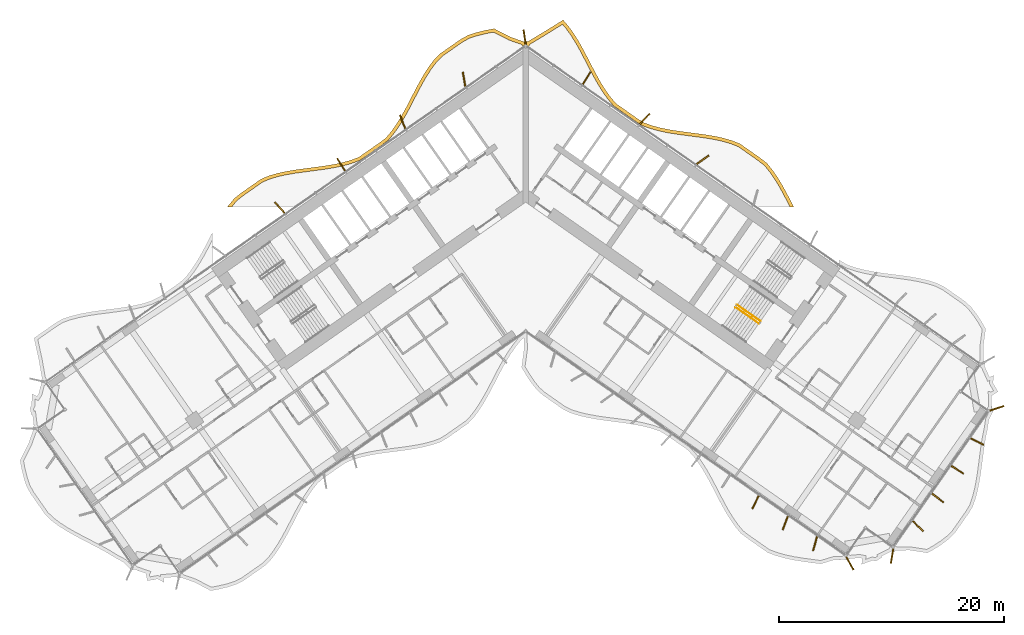
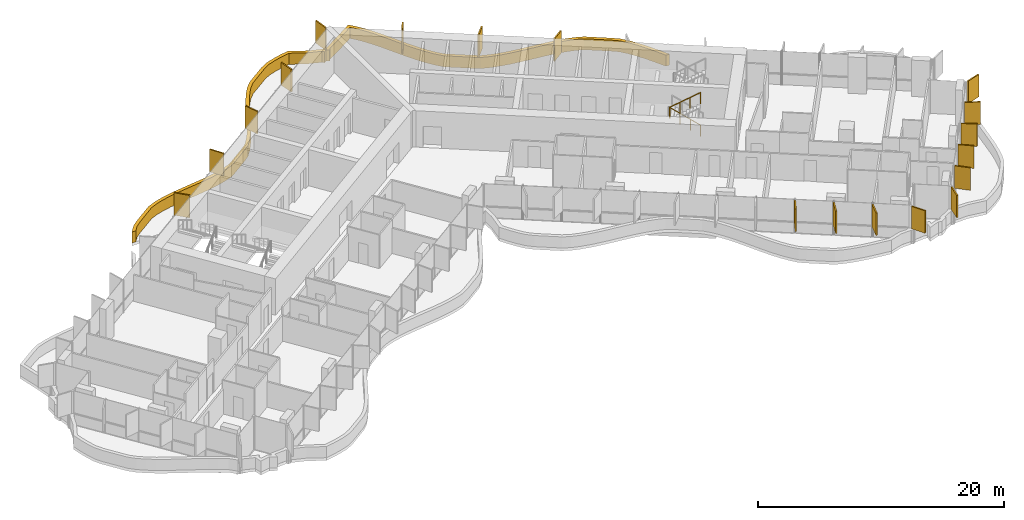
# One storey, part 22 of 23: 19 shading devices, 2 railings.
"""IFC4 building model written with IfcOpenShell, lengths in metres."""

from ifc_helpers import new_model, si_unit, direction, frame, origin, origin_2d, place, context, subcontext, project, spatial, polyline, rectangle, circle, outline, extrude, material, layer, layer_set, type_object, element, save


model = new_model("IFC4")

# Units and contexts
model_context = context("Model", 3, precision=1e-05, world=origin(), true_north=direction((0.0, 1.0)))
body_context = subcontext(model_context, "Body", "Model", "MODEL_VIEW")
ifc_project = project(units=[si_unit("LENGTHUNIT", "METRE"), si_unit("AREAUNIT", "SQUARE_METRE"), si_unit("VOLUMEUNIT", "CUBIC_METRE"), si_unit("PLANEANGLEUNIT", "RADIAN"), si_unit("MASSUNIT", "GRAM", prefix="KILO")], contexts=[model_context])

# Site, building, storey
site_placement = place(None, origin())
site = spatial("IfcSite", under=ifc_project, at=site_placement, CompositionType="ELEMENT")
building_placement = place(site_placement, origin())
building = spatial("IfcBuilding", under=site, at=building_placement, Name="Tel Ilan Convention Tower", CompositionType="ELEMENT")
storey_placement = place(building_placement, frame((0.0, 0.0, 86.89990234375)))
storey = spatial("IfcBuildingStorey", under=building, at=storey_placement, Name="L17", CompositionType="ELEMENT", Elevation=86.89990234375)

# Shading devices
ifc_material_1 = material(Name="Aluminium, bronze anodised", Category="aluminium")
ifc_layer_1 = layer(ifc_material_1, 0.1201171875)
ifc_layer_set_1 = layer_set([ifc_layer_1], Name="FIN BRONZE 1300x120")
shading_device_type_1 = type_object("IfcShadingDeviceType", Name="FIN BRONZE 1300x120", PredefinedType="USERDEFINED", material=ifc_layer_set_1)
for number, where, z_axis, x_axis, name in (
    (1, (15.761474609375, 2.5537109375, 1.10009765625), (0.0, 0.0, 1.0), (0.813552070258, 0.581492071294, 0.0), "FIN"),
    (2, (10.598388671875, 6.192138671875, 1.10009765625), (0.0, 0.0, 1.0), (0.686241637865, 0.727373641577, 0.0), "FIN"),
    (3, (5.421875, 9.817138671875, 1.10009765625), (0.0, 0.0, 1.0), (0.533204432798, 0.845986425922, 0.0), "FIN"),
    (4, (-0.09423828125, 13.469482421875, 1.10009765625), (0.0, 0.0, 1.0), (-0.144931859301, 0.989441638582, 0.0), "FIN"),
    (5, (-5.48779296875, 9.72509765625, 1.10009765625), (0.0, 0.0, 1.0), (-0.173648177667, 0.984807753012, 0.0), "FIN"),
    (6, (-10.963134765625, 5.928955078125, 1.10009765625), (0.0, 0.0, 1.0), (-0.360177724803, 0.932883704733, 0.0), "FIN"),
    (7, (-16.4296875, 2.109619140625, 1.10009765625), (0.0, 0.0, 1.0), (-0.533204432798, 0.845986425922, 0.0), "FIN"),
    (8, (-21.89306640625, -1.71630859375, 1.10009765625), (0.0, 0.0, 1.0), (-0.686241637865, 0.727373641577, 0.0), "FIN"),
    (9, (20.464111328125, -27.9423828125, 1.10009765625), (0.0, 0.0, 1.0), (-0.448799180206, -0.893632640321, 0.0), "FIN"),
    (10, (23.113525390625, -29.78955078125, 1.10009765625), (0.0, 0.0, 1.0), (-0.360177724803, -0.932883704733, 0.0), "FIN"),
    (11, (25.76513671875, -31.631103515625, 1.10009765625), (0.0, 0.0, 1.0), (-0.268172612768, -0.963370878614, 0.0), "FIN"),
    (12, (28.86865234375, -33.391357421875, 1.10009765625), (0.0, 0.0, 1.0), (0.491579408049, -0.870832754082, 0.0), "FIN"),
    (13, (32.62060546875, -32.729736328125, 1.10009765625), (0.0, 0.0, 1.0), (-0.16409119891, -0.986445172547, 0.0), "FIN"),
    (14, (34.924072265625, -30.0625, 1.10009765625), (0.0, 0.0, 1.0), (0.727373641577, -0.686241637865, 0.0), "FIN"),
    (15, (36.68115234375, -27.553955078125, 1.10009765625), (0.0, 0.0, 1.0), (0.790392669516, -0.612600545196, 0.0), "FIN"),
    (16, (38.43798828125, -25.044921875, 1.10009765625), (0.0, 0.0, 1.0), (0.845986425922, -0.533204432798, 0.0), "FIN"),
    (17, (40.1943359375, -22.535888671875, 1.10009765625), (0.0, 0.0, 1.0), (0.893632640321, -0.448799180206, 0.0), "FIN"),
    (18, (41.95263671875, -19.576171875, 1.10009765625), (0.0, 0.0, 1.0), (0.949242643575, 0.314544756146, 0.0), "FIN"),
):
    element("IfcShadingDevice", number, at=place(storey_placement, frame(where, z_axis=z_axis, x_axis=x_axis)), inside=storey, type_object=shading_device_type_1, Name=name, ObjectType="FIN", PredefinedType="USERDEFINED", context=body_context, shape_type="SweptSolid", body=[
        extrude(rectangle(XDim=1.300048828125, YDim=0.1201171875, at=origin_2d()), origin(), (0.0, 0.0, 1.0), 2.219970703125),
    ])
ifc_material_2 = material(Name="Aluminium, bronze anodised", Category="aluminium")
ifc_layer_2 = layer(ifc_material_2, 0.300048828125)
ifc_layer_set_2 = layer_set([ifc_layer_2], Name="LOUVRE BAND 300x1100")
shading_device_type_2 = type_object("IfcShadingDeviceType", Name="LOUVRE BAND 300x1100", PredefinedType="USERDEFINED", material=ifc_layer_set_2)
shading_device_placement = place(storey_placement, origin())
element("IfcShadingDevice", 19, at=shading_device_placement, inside=storey, type_object=shading_device_type_2, Name="LOUVRE BAND 15.02", ObjectType="LOUVRE", PredefinedType="USERDEFINED", context=body_context, shape_type="SweptSolid", body=[
    extrude(outline(polyline([(-26.470947265625, -1.533447265625), (-26.5380859375, -1.631591796875), (-26.164794921875, -1.631591796875), (-25.768798828125, -1.13916015625), (-25.22119140625, -0.691162109375), (-23.4189453125, 0.570556640625), (-22.757568359375, 0.845947265625), (-22.025146484375, 1.0595703125), (-21.250732421875, 1.229248046875), (-20.445556640625, 1.36474609375), (-17.94091796875, 1.697021484375), (-17.10986328125, 1.831298828125), (-16.29736328125, 2.001220703125), (-15.51171875, 2.2197265625), (-14.73974609375, 2.50537109375), (-14.091552734375, 2.951171875), (-12.86083984375, 3.812744140625), (-12.2314453125, 4.287841796875), (-11.706298828125, 4.921142578125), (-11.2373046875, 5.590576171875), (-10.803466796875, 6.300537109375), (-10.395751953125, 7.0380859375), (-9.617919921875, 8.540283203125), (-9.227294921875, 9.275390625), (-8.822509765625, 9.9814453125), (-8.39501953125, 10.64501953125), (-7.941650390625, 11.25048828125), (-7.44140625, 11.75830078125), (-5.638916015625, 13.020263671875), (-5.01953125, 13.36328125), (-4.31494140625, 13.594970703125), (-3.555908203125, 13.7822265625), (-2.858154296875, 13.91259765625), (-1.501220703125, 13.2119140625), (-0.362548828125, 12.812744140625), (-0.24609375, 12.646728515625), (0.0, 12.818115234375), (0.24609375, 12.646728515625), (0.38134765625, 12.839599609375), (1.88916015625, 13.747314453125), (3.271728515625, 14.607177734375), (3.593017578125, 14.232666015625), (4.037353515625, 13.614990234375), (4.454345703125, 12.947998046875), (4.8505859375, 12.2421875), (6.0068359375, 10.025390625), (6.4140625, 9.2998046875), (6.84814453125, 8.603759765625), (7.318115234375, 7.94921875), (7.845947265625, 7.3291015625), (9.697021484375, 6.0283203125), (10.3486328125, 5.60009765625), (11.1142578125, 5.323974609375), (11.8935546875, 5.112060546875), (12.69873046875, 4.94677734375), (13.521240234375, 4.815673828125), (15.99755859375, 4.4873046875), (16.79345703125, 4.35302734375), (17.559326171875, 4.18505859375), (18.284423828125, 3.97412109375), (18.94091796875, 3.7060546875), (20.723876953125, 2.457763671875), (21.272216796875, 2.02392578125), (21.729736328125, 1.462646484375), (22.166748046875, 0.83154296875), (22.57763671875, 0.153564453125), (22.97021484375, -0.56005859375), (23.52587890625, -1.631591796875), (23.86328125, -1.631591796875), (23.23486328125, -0.41845703125), (22.837646484375, 0.303466796875), (22.418701171875, 0.99462890625), (21.9697265625, 1.64306640625), (21.484130859375, 2.239013671875), (20.903076171875, 2.698486328125), (19.08544921875, 3.97119140625), (18.38330078125, 4.2578125), (17.63330078125, 4.47607421875), (16.8505859375, 4.647705078125), (16.043212890625, 4.783935546875), (13.564697265625, 5.112548828125), (12.75244140625, 5.241943359375), (11.963134765625, 5.404052734375), (11.20458984375, 5.610107421875), (10.483642578125, 5.8701171875), (9.865478515625, 6.276611328125), (8.050048828125, 7.55224609375), (7.5546875, 8.134033203125), (7.09765625, 8.770751953125), (6.672119140625, 9.452880859375), (6.2705078125, 10.168701171875), (5.1142578125, 12.385498046875), (4.71240234375, 13.100830078125), (4.28662109375, 13.7822265625), (3.8291015625, 14.418212890625), (3.331787109375, 14.997802734375), (1.732666015625, 14.003173828125), (0.168701171875, 13.059326171875), (0.11474609375, 13.09521484375), (0.0, 13.1181640625), (-0.11474609375, 13.09521484375), (-0.168701171875, 13.059326171875), (-1.382080078125, 13.48828125), (-2.81201171875, 14.226318359375), (-3.619384765625, 14.075439453125), (-4.39794921875, 13.883544921875), (-5.14013671875, 13.639404296875), (-5.798095703125, 13.275146484375), (-7.635986328125, 11.98828125), (-8.169677734375, 11.446533203125), (-8.641357421875, 10.81640625), (-9.078857421875, 10.13720703125), (-9.489990234375, 9.42041015625), (-9.8837890625, 8.67919921875), (-10.66015625, 7.179931640625), (-11.06298828125, 6.451416015625), (-11.488525390625, 5.755126953125), (-11.945068359375, 5.103271484375), (-12.43994140625, 4.506103515625), (-13.037353515625, 4.055419921875), (-14.87890625, 2.773681640625), (-15.60400390625, 2.50537109375), (-16.3681640625, 2.29296875), (-17.16455078125, 2.12646484375), (-17.98486328125, 1.993896484375), (-20.490966796875, 1.661376953125), (-21.307861328125, 1.52392578125), (-22.099365234375, 1.350341796875), (-22.857421875, 1.129150390625), (-23.564453125, 0.8349609375), (-25.40234375, -0.451904296875), (-25.98291015625, -0.9267578125), (-26.470947265625, -1.533447265625)])), origin(), (0.0, 0.0, 1.0), 1.10009765625),
])

# Railings
ifc_material_3 = material(Name="Stainless Steel Grade 316", Category="steel")
railing_type = type_object("IfcRailingType", Name="Stainless Steel Stair Guard 1100 mm", PredefinedType="GUARDRAIL", material=ifc_material_3)
railing_1_placement = place(storey_placement, frame((20.89697265625, -11.824462890625, 0.18017578125)))
element("IfcRailing", 20, at=railing_1_placement, inside=storey, type_object=railing_type, Name="L17 S4 stair guard 1", PredefinedType="GUARDRAIL", context=body_context, shape_type="SweptSolid", body=[
    extrude(circle(Radius=0.02392578125, at=origin_2d()), frame((0.0, 0.0, 1.076171875), z_axis=(-0.689043377453, 0.48253410265, 0.540721798865), x_axis=(-0.573624882958, -0.819118119475, 0.0)), (0.0, 0.0, 1.0), 2.995849609375),
    extrude(circle(Radius=0.02099609375, at=origin_2d()), origin(), (0.0, 0.0, 1.0), 1.052001953125),
    extrude(circle(Radius=0.02099609375, at=origin_2d()), frame((-0.68798828125, 0.48193359375, 0.5400390625)), (0.0, 0.0, 1.0), 1.052001953125),
    extrude(circle(Radius=0.02099609375, at=origin_2d()), frame((-1.376220703125, 0.963623046875, 1.079833984375)), (0.0, 0.0, 1.0), 1.052001953125),
    extrude(circle(Radius=0.02099609375, at=origin_2d()), frame((-2.064208984375, 1.445556640625, 1.619873046875)), (0.0, 0.0, 1.0), 1.052001953125),
])
railing_2_placement = place(storey_placement, frame((18.689208984375, -10.583740234375, 1.97998046875)))
element("IfcRailing", 21, at=railing_2_placement, inside=storey, type_object=railing_type, Name="L17 S4 stair guard 3", PredefinedType="GUARDRAIL", context=body_context, shape_type="SweptSolid", body=[
    extrude(circle(Radius=0.02392578125, at=origin_2d()), frame((0.0, 0.0, 1.076171875), z_axis=(0.689055814419, -0.482485747064, 0.540749099395), x_axis=(0.573579365141, 0.81914999352, 0.0)), (0.0, 0.0, 1.0), 2.99609375),
    extrude(circle(Radius=0.02099609375, at=origin_2d()), origin(), (0.0, 0.0, 1.0), 1.052001953125),
    extrude(circle(Radius=0.02099609375, at=origin_2d()), frame((0.688232421875, -0.48193359375, 0.5400390625)), (0.0, 0.0, 1.0), 1.052001953125),
    extrude(circle(Radius=0.02099609375, at=origin_2d()), frame((1.376220703125, -0.963623046875, 1.080078125)), (0.0, 0.0, 1.0), 1.052001953125),
    extrude(circle(Radius=0.02099609375, at=origin_2d()), frame((2.064453125, -1.445556640625, 1.6201171875)), (0.0, 0.0, 1.0), 1.052001953125),
])

save(model, "model.ifc")
